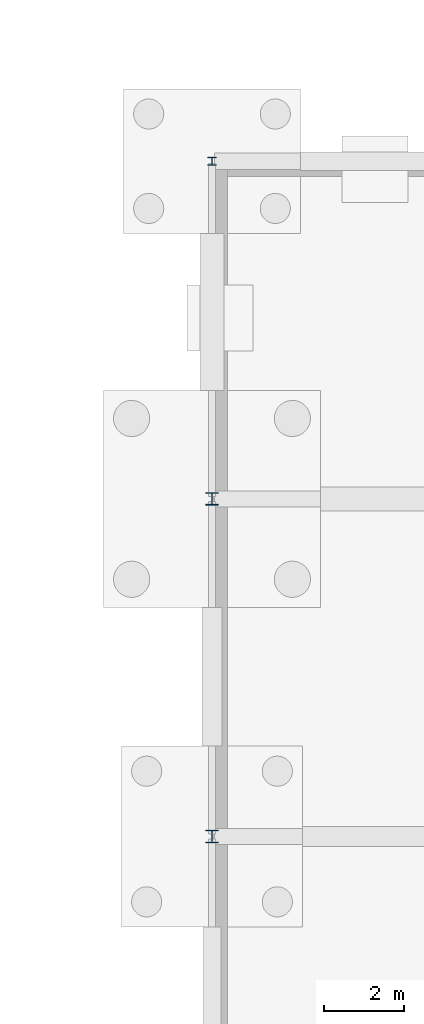
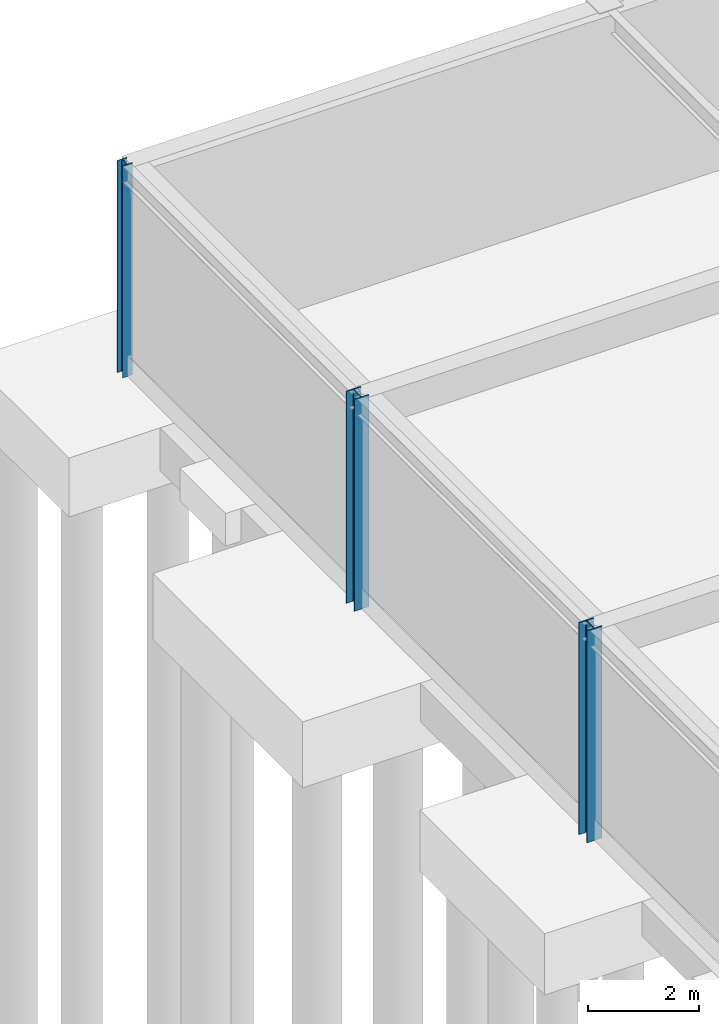
# One storey, part 29 of 75: 3 columns.
"""IFC4 building model written with IfcOpenShell, lengths in metres."""

import ifcopenshell
import ifcopenshell.guid

model = None  # the IFC model being written
_history = None  # IfcOwnerHistory: only IFC2X3 demands one
_inside = {}  # id of a spatial element -> (the spatial element, [elements in it])
_under = {}  # id of a project, library or spatial element -> (it, [spatial elements below it])
_declared = {}  # id of a project -> (the project, [libraries it declares])
_typed = {}  # id of a type object -> (the type object, [elements of that type])
_made_of = {}  # id of a material, layer set ... -> (it, [elements and type objects made of it])


def new_model(schema):
    """Start an empty IFC model of exactly this schema.

    Asked for "IFC4X3", IfcOpenShell would pick the latest addendum, in which some entities
    have other attributes; the version numbers below select the first issue.
    IFC2X3 requires an IfcOwnerHistory on every rooted entity: one is made here for all.
    """
    global model, _history
    if schema == "IFC4X3":
        model = ifcopenshell.file(schema_version=(4, 3, 0, 0))
    else:
        model = ifcopenshell.file(schema=schema)
    _inside.clear()
    _under.clear()
    _declared.clear()
    _typed.clear()
    _made_of.clear()
    _history = None
    if model.schema == "IFC2X3":
        org = make("IfcOrganization", Name="unknown")
        user = make(
            "IfcPersonAndOrganization",
            ThePerson=make("IfcPerson", FamilyName="unknown"),
            TheOrganization=org,
        )
        app = make(
            "IfcApplication",
            ApplicationDeveloper=org,
            Version="unknown",
            ApplicationFullName="unknown",
            ApplicationIdentifier="unknown",
        )
        _history = make(
            "IfcOwnerHistory",
            OwningUser=user,
            OwningApplication=app,
            ChangeAction="ADDED",
            CreationDate=0,
        )
    return model


def make(cls, **values):
    """One entity of the class cls with the attributes given. An attribute that is None is left unset."""
    return model.create_entity(
        cls, **{name: value for name, value in values.items() if value is not None}
    )


def rooted(cls, **values):
    """An entity with a GlobalId (a new one), such as an element, a storey or a relation."""
    return make(cls, GlobalId=ifcopenshell.guid.new(), OwnerHistory=_history, **values)


def si_unit(unit_type, name, prefix=None):
    """IfcSIUnit, for example si_unit("LENGTHUNIT", "METRE", prefix="MILLI")."""
    return make("IfcSIUnit", UnitType=unit_type, Prefix=prefix, Name=name)


def derived_unit(unit_type, elements):
    """IfcDerivedUnit: a product of units, each with its exponent."""
    return make(
        "IfcDerivedUnit",
        Elements=[
            make("IfcDerivedUnitElement", Unit=unit, Exponent=power)
            for unit, power in elements
        ],
        UnitType=unit_type,
    )


def assignment(units):
    """IfcUnitAssignment: the units of a project."""
    return None if units is None else make("IfcUnitAssignment", Units=units)


def point(xyz):
    """IfcCartesianPoint."""
    return None if xyz is None else make("IfcCartesianPoint", Coordinates=xyz)


def direction(xyz):
    """IfcDirection."""
    return None if xyz is None else make("IfcDirection", DirectionRatios=xyz)


def frame(location, z_axis=None, x_axis=None):
    """IfcAxis2Placement3D, a coordinate frame: its origin and axes. An axis left out is left unset."""
    return make(
        "IfcAxis2Placement3D",
        Location=point(location),
        Axis=direction(z_axis),
        RefDirection=direction(x_axis),
    )


def frame_2d(location, x_axis=None):
    """IfcAxis2Placement2D, a coordinate frame in the plane: its origin and x axis."""
    return make(
        "IfcAxis2Placement2D", Location=point(location), RefDirection=direction(x_axis)
    )


def origin():
    """The frame at (0, 0, 0) with its axes left unset."""
    return frame((0.0, 0.0, 0.0))


def origin_2d_with_axis():
    """The frame at (0, 0) in the plane with the x axis (1, 0) written out."""
    return frame_2d((0.0, 0.0), x_axis=(1.0, 0.0))


def place(relative_to, where):
    """IfcLocalPlacement: puts the frame where relative to a parent placement (None: the world)."""
    return make(
        "IfcLocalPlacement", PlacementRelTo=relative_to, RelativePlacement=where
    )


def context(
    kind, dimensions, precision=None, world=None, true_north=None, identifier=None
):
    """IfcGeometricRepresentationContext, for example the 3D "Model" context."""
    return make(
        "IfcGeometricRepresentationContext",
        ContextIdentifier=identifier,
        ContextType=kind,
        CoordinateSpaceDimension=dimensions,
        Precision=precision,
        WorldCoordinateSystem=world,
        TrueNorth=true_north,
    )


def subcontext(parent, identifier, kind, view, scale=None):
    """IfcGeometricRepresentationSubContext, for example "Body" below "Model"."""
    return make(
        "IfcGeometricRepresentationSubContext",
        ContextIdentifier=identifier,
        ContextType=kind,
        ParentContext=parent,
        TargetScale=scale,
        TargetView=view,
    )


def project(units=None, contexts=None):
    """IfcProject with its units and contexts."""
    return rooted(
        "IfcProject",
        Name="project",
        RepresentationContexts=contexts,
        UnitsInContext=assignment(units),
    )


def spatial(cls, under=None, at=None, **own):
    """A site, building, storey or space (cls), placed at a placement, below another one or the project."""
    s = rooted(cls, ObjectPlacement=at, **own)
    if under is not None:
        _under.setdefault(under.id(), (under, []))[1].append(s)
    return s


def profile(cls, at=None, kind="AREA", **sizes):
    """A parametric profile (cls). Its sizes go by their IFC names, for example OverallWidth=200.0."""
    return make(cls, ProfileType=kind, Position=at, **sizes)


def i_section(**sizes):
    """IfcIShapeProfileDef."""
    return profile("IfcIShapeProfileDef", **sizes)


def extrude(swept, where, along, depth):
    """IfcExtrudedAreaSolid: the profile swept, set in the frame where, extruded along a direction by depth."""
    return make(
        "IfcExtrudedAreaSolid",
        SweptArea=swept,
        Position=where,
        ExtrudedDirection=direction(along),
        Depth=depth,
    )


def shape(context_of_items, identifier, shape_type, items):
    """IfcShapeRepresentation: the items that make up one representation, for example the "Body"."""
    return make(
        "IfcShapeRepresentation",
        ContextOfItems=context_of_items,
        RepresentationIdentifier=identifier,
        RepresentationType=shape_type,
        Items=items,
    )


def material(Name=None, Category=None):
    """IfcMaterial."""
    return make("IfcMaterial", Name=Name, Category=Category)


def material_profile(
    of_material, cross_section, Name=None, Category=None, Priority=None
):
    """IfcMaterialProfile: a cross section and its material."""
    return make(
        "IfcMaterialProfile",
        Name=Name,
        Material=of_material,
        Profile=cross_section,
        Priority=Priority,
        Category=Category,
    )


def profile_set(profiles, Name=None, composite=None):
    """IfcMaterialProfileSet."""
    return make(
        "IfcMaterialProfileSet",
        Name=Name,
        MaterialProfiles=profiles,
        CompositeProfile=composite,
    )


def made_of(thing, what):
    """Note that an element or type object is made of a material, layer set ...; save() writes the relation."""
    if what is not None:
        _made_of.setdefault(what.id(), (what, []))[1].append(thing)
    return thing


def type_object(cls, material=None, **own):
    """A type object (cls), such as IfcWallType, which elements share."""
    return made_of(rooted(cls, **own), material)


def element(
    cls,
    number,
    at=None,
    inside=None,
    cuts=None,
    type_object=None,
    material=None,
    context=None,
    identifier="Body",
    shape_type=None,
    held_by="IfcProductDefinitionShape",
    body=None,
    shapes=None,
    **own,
):
    """One element of the class cls, such as IfcWall. Its Tag is "e" and its number.

    at: its placement. inside: the storey or other place that contains it. cuts: it is an
    opening in that element (IfcRelVoidsElement). A single representation is given by context,
    identifier, shape_type and body (its items); several are given by shapes. held_by: the class
    of the entity that holds the representations. save() writes the other relations.
    """
    e = rooted(cls, Tag="e%d" % number, ObjectPlacement=at, **own)
    if body is not None:
        shapes = [shape(context, identifier, shape_type, body)]
    if shapes is not None:
        e.Representation = make(held_by, Representations=shapes)
    if inside is not None:
        _inside.setdefault(inside.id(), (inside, []))[1].append(e)
    if cuts is not None:
        rooted(
            "IfcRelVoidsElement", RelatingBuildingElement=cuts, RelatedOpeningElement=e
        )
    if type_object is not None:
        _typed.setdefault(type_object.id(), (type_object, []))[1].append(e)
    return made_of(e, material)


def aggregate(whole, parts):
    """IfcRelAggregates: a whole, such as a stair, and the parts it consists of."""
    return rooted("IfcRelAggregates", RelatingObject=whole, RelatedObjects=parts)


def save(model, path):
    """Write the relations noted so far, then the file.

    IfcRelAggregates (storeys below a building ...), IfcRelContainedInSpatialStructure (elements
    in a storey), IfcRelDefinesByType, IfcRelAssociatesMaterial and IfcRelDeclares: one each for
    every whole, place, type object, material and project.
    """
    for whole, parts in _under.values():
        aggregate(whole, parts)
    for where, things in _inside.values():
        rooted(
            "IfcRelContainedInSpatialStructure",
            RelatedElements=things,
            RelatingStructure=where,
        )
    for kind, things in _typed.values():
        rooted("IfcRelDefinesByType", RelatedObjects=things, RelatingType=kind)
    for what, things in _made_of.values():
        rooted("IfcRelAssociatesMaterial", RelatedObjects=things, RelatingMaterial=what)
    for by, libraries in _declared.values():
        rooted("IfcRelDeclares", RelatingContext=by, RelatedDefinitions=libraries)
    model.write(path)


model = new_model("IFC4")

# Units and contexts
model_context = context("Model", 3, precision=1e-05, world=origin(), true_north=direction((0.0, 1.0)))
body_context = subcontext(model_context, "Body", "Model", "MODEL_VIEW")
ifc_project = project(units=[si_unit("LENGTHUNIT", "METRE"), si_unit("AREAUNIT", "SQUARE_METRE"), si_unit("VOLUMEUNIT", "CUBIC_METRE"), si_unit("PLANEANGLEUNIT", "RADIAN"), si_unit("MASSUNIT", "GRAM", prefix="KILO"), derived_unit("THERMALTRANSMITTANCEUNIT", [(si_unit("POWERUNIT", "WATT"), 1), (si_unit("LENGTHUNIT", "METRE"), -2), (si_unit("THERMODYNAMICTEMPERATUREUNIT", "KELVIN"), -1)])], contexts=[model_context])

# Site, building, storey
site_placement = place(None, origin())
site = spatial("IfcSite", under=ifc_project, at=site_placement, CompositionType="ELEMENT")
building_placement = place(site_placement, origin())
building = spatial("IfcBuilding", under=site, at=building_placement, Name="Cinnabar Yard Market Hall", CompositionType="ELEMENT")
storey_placement = place(building_placement, frame((0.0, 0.0, -4.5)))
storey = spatial("IfcBuildingStorey", under=building, at=storey_placement, Name="B1", CompositionType="ELEMENT", Elevation=-4.5)

# Columns
ifc_material = material(Name="Steel Grade 300 (300 MPa)", Category="steel")
ifc_material_profile_1 = material_profile(ifc_material, i_section(OverallWidth=0.307373046875, OverallDepth=0.314697265625, WebThickness=0.011962890625, FlangeThickness=0.018798828125, FilletRadius=0.0166015625, at=origin_2d_with_axis()), Name="310UC118")
ifc_profile_set_1 = profile_set([ifc_material_profile_1], Name="Steel Grade 300 (300 MPa)")
column_type_1 = type_object("IfcColumnType", Name="COL-C08", PredefinedType="COLUMN", material=ifc_profile_set_1)
column_1_placement = place(storey_placement, frame((66.0, 121.199951171875, -0.449951171875), z_axis=(0.0, 0.0, 1.0), x_axis=(1.0, 0.0, 0.0)))
element("IfcColumn", 1, at=column_1_placement, inside=storey, type_object=column_type_1, Name="Wing Column V3-01-03 B1", PredefinedType="COLUMN", context=body_context, shape_type="SweptSolid", body=[
    extrude(i_section(OverallWidth=0.307373046875, OverallDepth=0.314697265625, WebThickness=0.011962890625, FlangeThickness=0.018798828125, FilletRadius=0.0166015625, at=origin_2d_with_axis()), origin(), (0.0, 0.0, 1.0), 4.669921875),
])
ifc_material_profile_2 = material_profile(ifc_material, i_section(OverallWidth=0.304931640625, OverallDepth=0.30810546875, WebThickness=0.010009765625, FlangeThickness=0.015380859375, FilletRadius=0.0166015625, at=origin_2d_with_axis()), Name="310UC96.8")
ifc_profile_set_2 = profile_set([ifc_material_profile_2], Name="Steel Grade 300 (300 MPa)")
column_type_2 = type_object("IfcColumnType", Name="COL-C09", PredefinedType="COLUMN", material=ifc_profile_set_2)
column_2_placement = place(storey_placement, frame((66.0, 129.60009765625, -0.449951171875), z_axis=(0.0, 0.0, 1.0), x_axis=(1.0, 0.0, 0.0)))
element("IfcColumn", 2, at=column_2_placement, inside=storey, type_object=column_type_2, Name="Wing Column V3-01-04 B1", PredefinedType="COLUMN", context=body_context, shape_type="SweptSolid", body=[
    extrude(i_section(OverallWidth=0.304931640625, OverallDepth=0.30810546875, WebThickness=0.010009765625, FlangeThickness=0.015380859375, FilletRadius=0.0166015625, at=origin_2d_with_axis()), origin(), (0.0, 0.0, 1.0), 4.669921875),
])
ifc_material_profile_3 = material_profile(ifc_material, i_section(OverallWidth=0.203369140625, OverallDepth=0.203369140625, WebThickness=0.00732421875, FlangeThickness=0.010986328125, FilletRadius=0.011474609375, at=origin_2d_with_axis()), Name="200UC46.2")
ifc_profile_set_3 = profile_set([ifc_material_profile_3], Name="Steel Grade 300 (300 MPa)")
column_type_3 = type_object("IfcColumnType", Name="COL-C13", PredefinedType="COLUMN", material=ifc_profile_set_3)
column_3_placement = place(storey_placement, frame((66.0, 138.0, -0.449951171875), z_axis=(0.0, 0.0, 1.0), x_axis=(1.0, 0.0, 0.0)))
element("IfcColumn", 3, at=column_3_placement, inside=storey, type_object=column_type_3, Name="Wing Column V3-01-05 B1", PredefinedType="COLUMN", context=body_context, shape_type="SweptSolid", body=[
    extrude(i_section(OverallWidth=0.203369140625, OverallDepth=0.203369140625, WebThickness=0.00732421875, FlangeThickness=0.010986328125, FilletRadius=0.011474609375, at=origin_2d_with_axis()), origin(), (0.0, 0.0, 1.0), 4.669921875),
])

save(model, "model.ifc")
